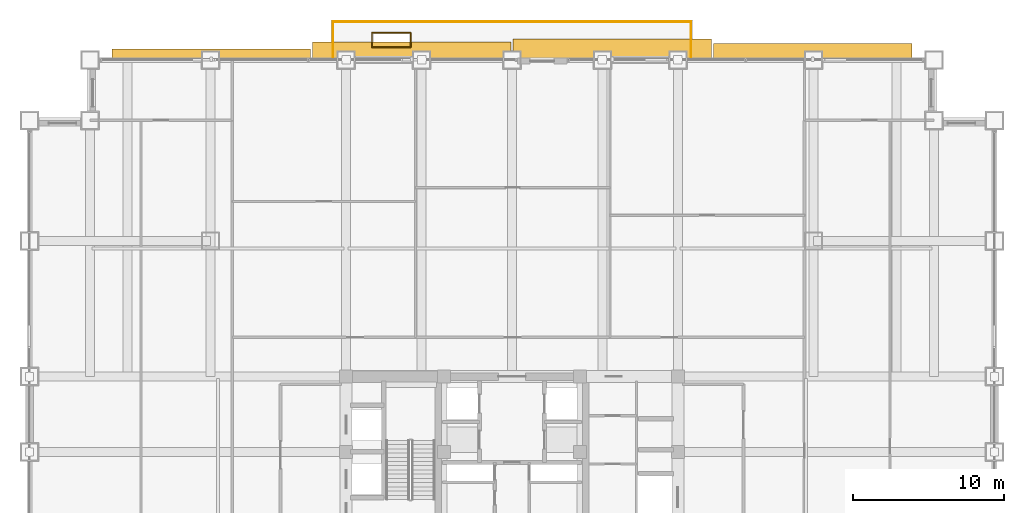
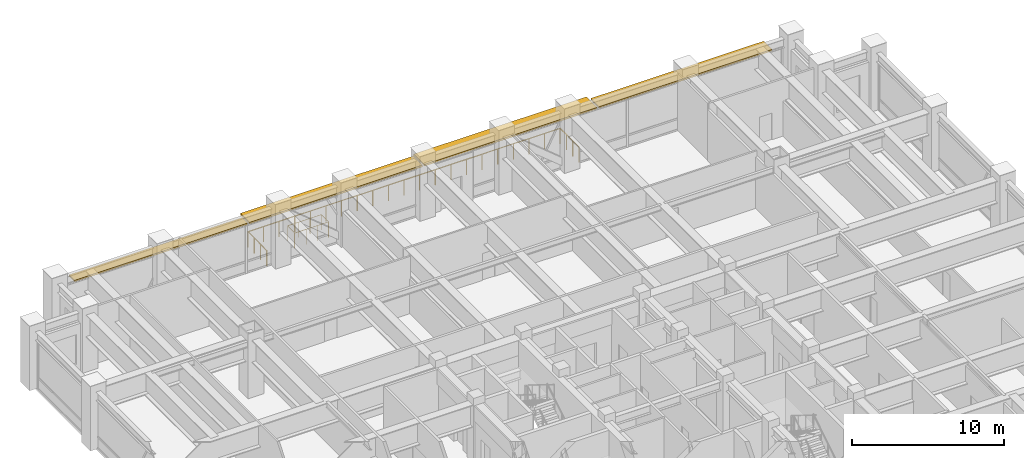
# One storey, part 33 of 34: 4 shading devices, 2 railings.
"""IFC4 building model written with IfcOpenShell, lengths in metres."""

from ifc_helpers import new_model, si_unit, direction, frame, origin, origin_2d, place, context, subcontext, project, spatial, rectangle, circle, extrude, source, transform, mapped, material, layer, layer_set, type_object, element, save


model = new_model("IFC4")

# Units and contexts
model_context = context("Model", 3, precision=1e-05, world=origin(), true_north=direction((0.0, 1.0)))
body_context = subcontext(model_context, "Body", "Model", "MODEL_VIEW")
ifc_project = project(units=[si_unit("LENGTHUNIT", "METRE"), si_unit("AREAUNIT", "SQUARE_METRE"), si_unit("VOLUMEUNIT", "CUBIC_METRE"), si_unit("PLANEANGLEUNIT", "RADIAN"), si_unit("MASSUNIT", "GRAM", prefix="KILO")], contexts=[model_context])

# Site, building, storey
site_placement = place(None, origin())
site = spatial("IfcSite", under=ifc_project, at=site_placement, CompositionType="ELEMENT")
building_placement = place(site_placement, origin())
building = spatial("IfcBuilding", under=site, at=building_placement, Name="Khorayat Bourse Tower", CompositionType="ELEMENT")
storey_placement = place(building_placement, frame((0.0, 0.0, 144.699951171875)))
storey = spatial("IfcBuildingStorey", under=building, at=storey_placement, Name="L33", CompositionType="ELEMENT", Elevation=144.699951171875)

# Railing
ifc_material_1 = material(Name="Laminated glass and bronze balustrade", Category="glass")
railing_type = type_object("IfcRailingType", Name="RLG-TERR-1250", PredefinedType="GUARDRAIL", material=ifc_material_1)
shared_shape_1 = source(origin(), body_context, "Body", "SweptSolid", [
    extrude(circle(Radius=0.02392578125, at=origin_2d()), frame((0.0, 0.0, 1.22607421875), z_axis=(1.0, 0.0, 0.0), x_axis=(0.0, 1.0, 0.0)), (0.0, 0.0, 1.0), 2.56005859375),
    extrude(circle(Radius=0.02392578125, at=origin_2d()), frame((2.56005859375, 0.0, 1.22607421875), z_axis=(0.0, 1.0, 0.0), x_axis=(-1.0, 0.0, 0.0)), (0.0, 0.0, 1.0), 0.9599609375),
    extrude(circle(Radius=0.02392578125, at=origin_2d()), frame((2.56005859375, 0.9599609375, 1.22607421875), z_axis=(-1.0, 0.0, 0.0), x_axis=(0.0, -1.0, 0.0)), (0.0, 0.0, 1.0), 2.56005859375),
    extrude(circle(Radius=0.02392578125, at=origin_2d()), frame((0.0, 0.9599609375, 1.22607421875), z_axis=(0.0, -1.0, 0.0), x_axis=(1.0, 0.0, 0.0)), (0.0, 0.0, 1.0), 0.8798828125),
    extrude(circle(Radius=0.02099609375, at=origin_2d()), origin(), (0.0, 0.0, 1.0), 1.201904296875),
    extrude(circle(Radius=0.02099609375, at=origin_2d()), frame((0.853271484375, 0.0, 0.0)), (0.0, 0.0, 1.0), 1.201904296875),
    extrude(circle(Radius=0.02099609375, at=origin_2d()), frame((1.706787109375, 0.0, 0.0)), (0.0, 0.0, 1.0), 1.201904296875),
    extrude(circle(Radius=0.02099609375, at=origin_2d()), frame((2.56005859375, 0.0, 0.0)), (0.0, 0.0, 1.0), 1.201904296875),
    extrude(circle(Radius=0.02099609375, at=origin_2d()), frame((2.56005859375, 0.9599609375, 0.0)), (0.0, 0.0, 1.0), 1.201904296875),
    extrude(circle(Radius=0.02099609375, at=origin_2d()), frame((1.706787109375, 0.9599609375, 0.0)), (0.0, 0.0, 1.0), 1.201904296875),
    extrude(circle(Radius=0.02099609375, at=origin_2d()), frame((0.853271484375, 0.9599609375, 0.0)), (0.0, 0.0, 1.0), 1.201904296875),
    extrude(circle(Radius=0.02099609375, at=origin_2d()), frame((0.0, 0.9599609375, 0.0)), (0.0, 0.0, 1.0), 1.201904296875),
    extrude(circle(Radius=0.02099609375, at=origin_2d()), frame((0.0, 0.080078125, 0.0)), (0.0, 0.0, 1.0), 1.201904296875),
])
railing_1_placement = place(storey_placement, frame((-9.280029296875, 32.844970703125, 0.0)))
element("IfcRailing", 1, at=railing_1_placement, inside=storey, type_object=railing_type, Name="L33 Terrace Tree-Pit Guardrail 01", PredefinedType="GUARDRAIL", context=body_context, shape_type="MappedRepresentation", body=[
    mapped(shared_shape_1, transform((0.0, 0.0, 0.0), scale=1.0)),
])

# Shading devices
ifc_material_2 = material(Name="Precast concrete C45/55", Category="concrete")
ifc_layer = layer(ifc_material_2, 0.139892578125)
ifc_layer_set = layer_set([ifc_layer], Name="Precast concrete C45/55")
shading_device_type = type_object("IfcShadingDeviceType", Name="SHD-WAVE-TRAY-B", PredefinedType="USERDEFINED", material=ifc_layer_set)
shared_shape_2 = source(origin(), body_context, "Body", "SweptSolid", [
    extrude(rectangle(XDim=13.159912109375, YDim=0.734619140625, at=origin_2d()), origin(), (0.0, 0.0, 1.0), 0.139892578125),
])
shading_device_1_placement = place(storey_placement, frame((-19.949951171875, 32.347412109375, 3.85009765625), z_axis=(0.0, 0.0, 1.0), x_axis=(1.0, 0.0, 0.0)))
element("IfcShadingDevice", 2, at=shading_device_1_placement, inside=storey, type_object=shading_device_type, Name="L33 Sinusoidal Wave Sunshade Tray N-1", ObjectType="SUNSHADE", PredefinedType="USERDEFINED", context=body_context, shape_type="MappedRepresentation", body=[
    mapped(shared_shape_2, transform((0.0, 0.0, 0.0), scale=1.0)),
])
shared_shape_3 = source(origin(), body_context, "Body", "SweptSolid", [
    extrude(rectangle(XDim=13.159912109375, YDim=1.211669921875, at=origin_2d()), origin(), (0.0, 0.0, 1.0), 0.139892578125),
])
shading_device_2_placement = place(storey_placement, frame((-6.64990234375, 32.5859375, 3.85009765625), z_axis=(0.0, 0.0, 1.0), x_axis=(1.0, 0.0, 0.0)))
element("IfcShadingDevice", 3, at=shading_device_2_placement, inside=storey, type_object=shading_device_type, Name="L33 Sinusoidal Wave Sunshade Tray N-2", ObjectType="SUNSHADE", PredefinedType="USERDEFINED", context=body_context, shape_type="MappedRepresentation", body=[
    mapped(shared_shape_3, transform((0.0, 0.0, 0.0), scale=1.0)),
])
shared_shape_4 = source(origin(), body_context, "Body", "SweptSolid", [
    extrude(rectangle(XDim=13.159912109375, YDim=1.3955078125, at=origin_2d()), origin(), (0.0, 0.0, 1.0), 0.139892578125),
])
shading_device_3_placement = place(storey_placement, frame((6.64990234375, 32.677734375, 3.85009765625), z_axis=(0.0, 0.0, 1.0), x_axis=(1.0, 0.0, 0.0)))
element("IfcShadingDevice", 4, at=shading_device_3_placement, inside=storey, type_object=shading_device_type, Name="L33 Sinusoidal Wave Sunshade Tray N-3", ObjectType="SUNSHADE", PredefinedType="USERDEFINED", context=body_context, shape_type="MappedRepresentation", body=[
    mapped(shared_shape_4, transform((0.0, 0.0, 0.0), scale=1.0)),
])
shared_shape_5 = source(origin(), body_context, "Body", "SweptSolid", [
    extrude(rectangle(XDim=13.159912109375, YDim=1.09814453125, at=origin_2d()), origin(), (0.0, 0.0, 1.0), 0.139892578125),
])
shading_device_4_placement = place(storey_placement, frame((19.949951171875, 32.529052734375, 3.85009765625), z_axis=(0.0, 0.0, 1.0), x_axis=(1.0, 0.0, 0.0)))
element("IfcShadingDevice", 5, at=shading_device_4_placement, inside=storey, type_object=shading_device_type, Name="L33 Sinusoidal Wave Sunshade Tray N-4", ObjectType="SUNSHADE", PredefinedType="USERDEFINED", context=body_context, shape_type="MappedRepresentation", body=[
    mapped(shared_shape_5, transform((0.0, 0.0, 0.0), scale=1.0)),
])

# Railing
shared_shape_6 = source(origin(), body_context, "Body", "SweptSolid", [
    extrude(circle(Radius=0.02392578125, at=origin_2d()), frame((0.0, 0.0, 1.22607421875), z_axis=(0.0, 1.0, 0.0), x_axis=(-1.0, 0.0, 0.0)), (0.0, 0.0, 1.0), 2.47998046875),
    extrude(circle(Radius=0.02392578125, at=origin_2d()), frame((0.0, 2.47998046875, 1.22607421875), z_axis=(1.0, 0.0, 0.0), x_axis=(0.0, 1.0, 0.0)), (0.0, 0.0, 1.0), 23.759765625),
    extrude(circle(Radius=0.02392578125, at=origin_2d()), frame((23.759765625, 2.47998046875, 1.22607421875), z_axis=(0.0, -1.0, 0.0), x_axis=(1.0, 0.0, 0.0)), (0.0, 0.0, 1.0), 2.47998046875),
    extrude(circle(Radius=0.02099609375, at=origin_2d()), origin(), (0.0, 0.0, 1.0), 1.201904296875),
    extrude(circle(Radius=0.02099609375, at=origin_2d()), frame((0.0, 0.82666015625, 0.0)), (0.0, 0.0, 1.0), 1.201904296875),
    extrude(circle(Radius=0.02099609375, at=origin_2d()), frame((0.0, 1.6533203125, 0.0)), (0.0, 0.0, 1.0), 1.201904296875),
    extrude(circle(Radius=0.02099609375, at=origin_2d()), frame((0.0, 2.47998046875, 0.0)), (0.0, 0.0, 1.0), 1.201904296875),
    extrude(circle(Radius=0.02099609375, at=origin_2d()), frame((1.18798828125, 2.47998046875, 0.0)), (0.0, 0.0, 1.0), 1.201904296875),
    extrude(circle(Radius=0.02099609375, at=origin_2d()), frame((2.3759765625, 2.47998046875, 0.0)), (0.0, 0.0, 1.0), 1.201904296875),
    extrude(circle(Radius=0.02099609375, at=origin_2d()), frame((3.56396484375, 2.47998046875, 0.0)), (0.0, 0.0, 1.0), 1.201904296875),
    extrude(circle(Radius=0.02099609375, at=origin_2d()), frame((4.751953125, 2.47998046875, 0.0)), (0.0, 0.0, 1.0), 1.201904296875),
    extrude(circle(Radius=0.02099609375, at=origin_2d()), frame((5.93994140625, 2.47998046875, 0.0)), (0.0, 0.0, 1.0), 1.201904296875),
    extrude(circle(Radius=0.02099609375, at=origin_2d()), frame((7.1279296875, 2.47998046875, 0.0)), (0.0, 0.0, 1.0), 1.201904296875),
    extrude(circle(Radius=0.02099609375, at=origin_2d()), frame((8.31591796875, 2.47998046875, 0.0)), (0.0, 0.0, 1.0), 1.201904296875),
    extrude(circle(Radius=0.02099609375, at=origin_2d()), frame((9.50390625, 2.47998046875, 0.0)), (0.0, 0.0, 1.0), 1.201904296875),
    extrude(circle(Radius=0.02099609375, at=origin_2d()), frame((10.69189453125, 2.47998046875, 0.0)), (0.0, 0.0, 1.0), 1.201904296875),
    extrude(circle(Radius=0.02099609375, at=origin_2d()), frame((11.8798828125, 2.47998046875, 0.0)), (0.0, 0.0, 1.0), 1.201904296875),
    extrude(circle(Radius=0.02099609375, at=origin_2d()), frame((13.06787109375, 2.47998046875, 0.0)), (0.0, 0.0, 1.0), 1.201904296875),
    extrude(circle(Radius=0.02099609375, at=origin_2d()), frame((14.255859375, 2.47998046875, 0.0)), (0.0, 0.0, 1.0), 1.201904296875),
    extrude(circle(Radius=0.02099609375, at=origin_2d()), frame((15.44384765625, 2.47998046875, 0.0)), (0.0, 0.0, 1.0), 1.201904296875),
    extrude(circle(Radius=0.02099609375, at=origin_2d()), frame((16.6318359375, 2.47998046875, 0.0)), (0.0, 0.0, 1.0), 1.201904296875),
    extrude(circle(Radius=0.02099609375, at=origin_2d()), frame((17.81982421875, 2.47998046875, 0.0)), (0.0, 0.0, 1.0), 1.201904296875),
    extrude(circle(Radius=0.02099609375, at=origin_2d()), frame((19.0078125, 2.47998046875, 0.0)), (0.0, 0.0, 1.0), 1.201904296875),
    extrude(circle(Radius=0.02099609375, at=origin_2d()), frame((20.19580078125, 2.47998046875, 0.0)), (0.0, 0.0, 1.0), 1.201904296875),
    extrude(circle(Radius=0.02099609375, at=origin_2d()), frame((21.3837890625, 2.47998046875, 0.0)), (0.0, 0.0, 1.0), 1.201904296875),
    extrude(circle(Radius=0.02099609375, at=origin_2d()), frame((22.57177734375, 2.47998046875, 0.0)), (0.0, 0.0, 1.0), 1.201904296875),
    extrude(circle(Radius=0.02099609375, at=origin_2d()), frame((23.759765625, 2.47998046875, 0.0)), (0.0, 0.0, 1.0), 1.201904296875),
    extrude(circle(Radius=0.02099609375, at=origin_2d()), frame((23.759765625, 1.6533203125, 0.0)), (0.0, 0.0, 1.0), 1.201904296875),
    extrude(circle(Radius=0.02099609375, at=origin_2d()), frame((23.759765625, 0.82666015625, 0.0)), (0.0, 0.0, 1.0), 1.201904296875),
    extrude(circle(Radius=0.02099609375, at=origin_2d()), frame((23.759765625, 0.0, 0.0)), (0.0, 0.0, 1.0), 1.201904296875),
])
railing_2_placement = place(storey_placement, frame((-11.8798828125, 32.050048828125, 0.0)))
element("IfcRailing", 6, at=railing_2_placement, inside=storey, type_object=railing_type, Name="L33 North Sky Garden Guardrail", PredefinedType="GUARDRAIL", context=body_context, shape_type="MappedRepresentation", body=[
    mapped(shared_shape_6, transform((0.0, 0.0, 0.0), scale=1.0)),
])

save(model, "model.ifc")
